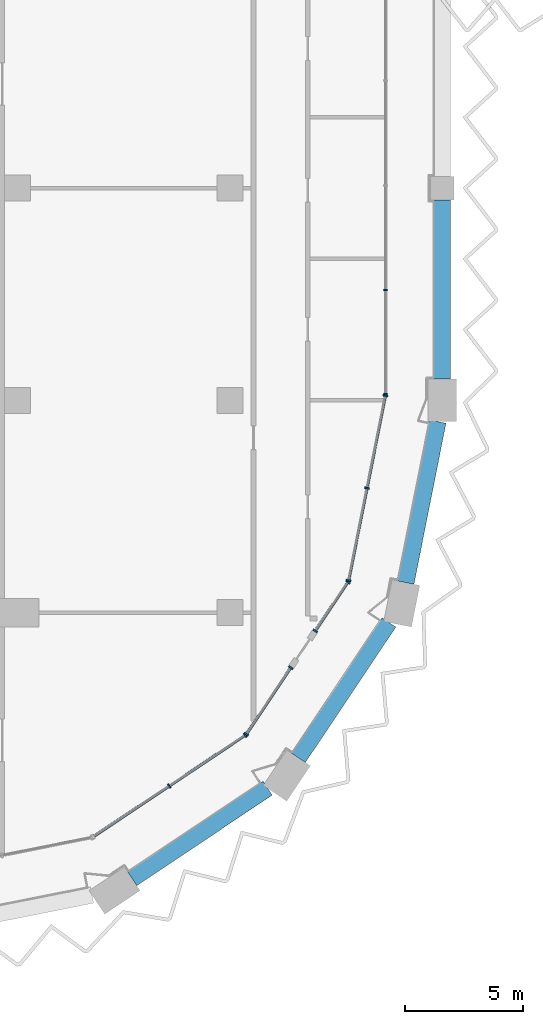
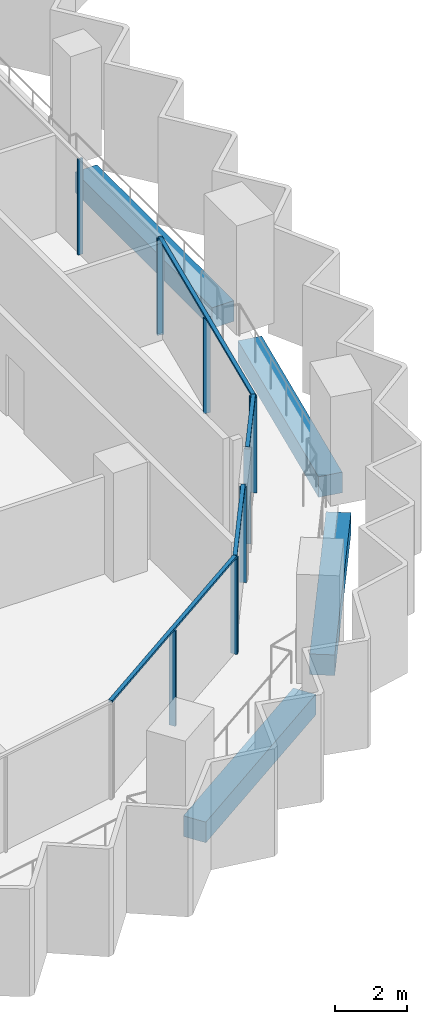
# One storey, part 3 of 17: 15 members, 4 beams, 5 elements without a shape of their own.
"""IFC4 building model written with IfcOpenShell, lengths in metres."""

from ifc_helpers import new_model, si_unit, direction, frame, origin, origin_2d, place, context, subcontext, project, spatial, rectangle, extrude, material, material_profile, profile_set, type_object, element, aggregate, save


model = new_model("IFC4")

# Units and contexts
model_context = context("Model", 3, precision=1e-05, world=origin(), true_north=direction((0.0, 1.0)))
body_context = subcontext(model_context, "Body", "Model", "MODEL_VIEW")
ifc_project = project(units=[si_unit("LENGTHUNIT", "METRE"), si_unit("AREAUNIT", "SQUARE_METRE"), si_unit("VOLUMEUNIT", "CUBIC_METRE"), si_unit("PLANEANGLEUNIT", "RADIAN"), si_unit("MASSUNIT", "GRAM", prefix="KILO")], contexts=[model_context])

# Site, building, storey
site_placement = place(None, origin())
site = spatial("IfcSite", under=ifc_project, at=site_placement, CompositionType="ELEMENT")
building_placement = place(site_placement, origin())
building = spatial("IfcBuilding", under=site, at=building_placement, Name="Hunhe Ridgeline Campus", CompositionType="ELEMENT")
storey_placement = place(building_placement, frame((0.0, 0.0, 193.89990234375)))
storey = spatial("IfcBuildingStorey", under=building, at=storey_placement, Name="L49", CompositionType="ELEMENT", Elevation=193.89990234375)

# Curtain wall, members
ifc_material_1 = material(Name="Aluminium 6063", Category="aluminium")
curtain_wall_type_1 = type_object("IfcCurtainWallType", Name="Curtain wall CW-1", PredefinedType="NOTDEFINED", material=ifc_material_1)
curtain_wall_1_placement = place(storey_placement, origin())
curtain_wall_1 = element("IfcCurtainWall", 1, at=curtain_wall_1_placement, inside=storey, type_object=curtain_wall_type_1, Name="Curtain wall 11", PredefinedType="NOTDEFINED")
ifc_material_profile_1 = material_profile(ifc_material_1, rectangle(XDim=0.159912109375, YDim=0.06005859375, at=origin_2d()))
ifc_profile_set_1 = profile_set([ifc_material_profile_1], Name="Aluminium 6063")
member_type_1 = type_object("IfcMemberType", Name="CW-1 aluminium mullion", PredefinedType="MULLION", material=ifc_profile_set_1)
member_1_placement = place(storey_placement, frame((42.59912109375, 36.266357421875, 0.0), z_axis=(0.0, 0.0, 1.0), x_axis=(-0.999999999978, 6.642653e-06, 0.0)))
member_1 = element("IfcMember", 2, at=member_1_placement, type_object=member_type_1, Name="CW-1 mullion 1", PredefinedType="MULLION", context=body_context, shape_type="SweptSolid", body=[
    extrude(rectangle(XDim=0.159912109375, YDim=0.06005859375, at=origin_2d()), origin(), (0.0, 0.0, 1.0), 3.239990234375),
])
member_2_placement = place(storey_placement, frame((42.59912109375, 40.677490234375, 0.0), z_axis=(0.0, 0.0, 1.0), x_axis=(-0.999999999978, 6.642653e-06, 0.0)))
member_2 = element("IfcMember", 3, at=member_2_placement, type_object=member_type_1, Name="CW-1 mullion 2", PredefinedType="MULLION", context=body_context, shape_type="SweptSolid", body=[
    extrude(rectangle(XDim=0.159912109375, YDim=0.06005859375, at=origin_2d()), origin(), (0.0, 0.0, 1.0), 3.239990234375),
])
aggregate(curtain_wall_1, [member_1, member_2])

curtain_wall_type_2 = type_object("IfcCurtainWallType", Name="Curtain wall CW-5", PredefinedType="NOTDEFINED", material=ifc_material_1)
curtain_wall_2_placement = place(storey_placement, origin())
curtain_wall_2 = element("IfcCurtainWall", 4, at=curtain_wall_2_placement, inside=storey, type_object=curtain_wall_type_2, Name="Curtain wall 07", PredefinedType="NOTDEFINED")
ifc_material_profile_2 = material_profile(ifc_material_1, rectangle(XDim=0.199951171875, YDim=0.070068359375, at=origin_2d()))
ifc_profile_set_2 = profile_set([ifc_material_profile_2], Name="Aluminium 6063")
member_type_2 = type_object("IfcMemberType", Name="CW-5 aluminium mullion", PredefinedType="MULLION", material=ifc_profile_set_2)
member_3_placement = place(storey_placement, frame((33.42626953125, 19.647705078125, 0.0), z_axis=(0.0, 0.0, 1.0), x_axis=(-0.555570274596, 0.831469584522, 0.0)))
member_3 = element("IfcMember", 5, at=member_3_placement, type_object=member_type_2, Name="CW-5 mullion 2", PredefinedType="MULLION", context=body_context, shape_type="SweptSolid", body=[
    extrude(rectangle(XDim=0.199951171875, YDim=0.070068359375, at=origin_2d()), origin(), (0.0, 0.0, 1.0), 3.22998046875),
])
member_4_placement = place(storey_placement, frame((36.649658203125, 21.8017578125, 0.0), z_axis=(0.0, 0.0, 1.0), x_axis=(-0.555570274596, 0.831469584522, 0.0)))
member_4 = element("IfcMember", 6, at=member_4_placement, type_object=member_type_2, Name="CW-5 mullion 3", PredefinedType="MULLION", context=body_context, shape_type="SweptSolid", body=[
    extrude(rectangle(XDim=0.199951171875, YDim=0.070068359375, at=origin_2d()), origin(), (0.0, 0.0, 1.0), 3.22998046875),
])

curtain_wall_3_placement = place(storey_placement, origin())
curtain_wall_3 = element("IfcCurtainWall", 7, at=curtain_wall_3_placement, inside=storey, type_object=curtain_wall_type_2, Name="Curtain wall 08", PredefinedType="NOTDEFINED")
member_5_placement = place(storey_placement, frame((36.6982421875, 21.850341796875, 0.0), z_axis=(0.0, 0.0, 1.0), x_axis=(-0.831469595944, 0.555570257501, 0.0)))
member_5 = element("IfcMember", 8, at=member_5_placement, type_object=member_type_2, Name="CW-5 mullion 1", PredefinedType="MULLION", context=body_context, shape_type="SweptSolid", body=[
    extrude(rectangle(XDim=0.199951171875, YDim=0.070068359375, at=origin_2d()), origin(), (0.0, 0.0, 1.0), 3.22998046875),
])
member_6_placement = place(storey_placement, frame((38.582763671875, 24.67041015625, 0.0), z_axis=(0.0, 0.0, 1.0), x_axis=(-0.831469595944, 0.555570257501, 0.0)))
member_6 = element("IfcMember", 9, at=member_6_placement, type_object=member_type_2, Name="CW-5 mullion 2", PredefinedType="MULLION", context=body_context, shape_type="SweptSolid", body=[
    extrude(rectangle(XDim=0.199951171875, YDim=0.070068359375, at=origin_2d()), origin(), (0.0, 0.0, 1.0), 3.22998046875),
])

curtain_wall_4_placement = place(storey_placement, origin())
curtain_wall_4 = element("IfcCurtainWall", 10, at=curtain_wall_4_placement, inside=storey, type_object=curtain_wall_type_2, Name="Curtain wall 09", PredefinedType="NOTDEFINED")
member_7_placement = place(storey_placement, frame((39.62158203125, 26.225341796875, 0.0), z_axis=(0.0, 0.0, 1.0), x_axis=(-0.831469510353, 0.555570385598, 0.0)))
member_7 = element("IfcMember", 11, at=member_7_placement, type_object=member_type_2, Name="CW-5 mullion 1", PredefinedType="MULLION", context=body_context, shape_type="SweptSolid", body=[
    extrude(rectangle(XDim=0.199951171875, YDim=0.070068359375, at=origin_2d()), origin(), (0.0, 0.0, 1.0), 3.22998046875),
])
member_8_placement = place(storey_placement, frame((41.006103515625, 28.29736328125, 0.0), z_axis=(0.0, 0.0, 1.0), x_axis=(-0.831469510353, 0.555570385598, 0.0)))
member_8 = element("IfcMember", 12, at=member_8_placement, type_object=member_type_2, Name="CW-5 mullion 2", PredefinedType="MULLION", context=body_context, shape_type="SweptSolid", body=[
    extrude(rectangle(XDim=0.199951171875, YDim=0.070068359375, at=origin_2d()), origin(), (0.0, 0.0, 1.0), 3.22998046875),
])

curtain_wall_5_placement = place(storey_placement, origin())
curtain_wall_5 = element("IfcCurtainWall", 13, at=curtain_wall_5_placement, inside=storey, type_object=curtain_wall_type_2, Name="Curtain wall 10", PredefinedType="NOTDEFINED")
member_9_placement = place(storey_placement, frame((41.032470703125, 28.36083984375, 0.0), z_axis=(0.0, 0.0, 1.0), x_axis=(-0.980785284939, 0.195090299215, 0.0)))
member_9 = element("IfcMember", 14, at=member_9_placement, type_object=member_type_2, Name="CW-5 mullion 1", PredefinedType="MULLION", context=body_context, shape_type="SweptSolid", body=[
    extrude(rectangle(XDim=0.199951171875, YDim=0.070068359375, at=origin_2d()), origin(), (0.0, 0.0, 1.0), 3.22998046875),
])
member_10_placement = place(storey_placement, frame((41.812255859375, 32.281494140625, 0.0), z_axis=(0.0, 0.0, 1.0), x_axis=(-0.980785284939, 0.195090299215, 0.0)))
member_10 = element("IfcMember", 15, at=member_10_placement, type_object=member_type_2, Name="CW-5 mullion 2", PredefinedType="MULLION", context=body_context, shape_type="SweptSolid", body=[
    extrude(rectangle(XDim=0.199951171875, YDim=0.070068359375, at=origin_2d()), origin(), (0.0, 0.0, 1.0), 3.22998046875),
])
member_11_placement = place(storey_placement, frame((42.59228515625, 36.2021484375, 0.0), z_axis=(0.0, 0.0, 1.0), x_axis=(-0.980785284939, 0.195090299215, 0.0)))
member_11 = element("IfcMember", 16, at=member_11_placement, type_object=member_type_2, Name="CW-5 mullion 3", PredefinedType="MULLION", context=body_context, shape_type="SweptSolid", body=[
    extrude(rectangle(XDim=0.199951171875, YDim=0.070068359375, at=origin_2d()), origin(), (0.0, 0.0, 1.0), 3.22998046875),
])

# Member
ifc_material_profile_3 = material_profile(ifc_material_1, rectangle(XDim=0.1201171875, YDim=0.070068359375, at=origin_2d()))
ifc_profile_set_3 = profile_set([ifc_material_profile_3], Name="Aluminium 6063")
member_type_3 = type_object("IfcMemberType", Name="CW-5 aluminium transom", PredefinedType="USERDEFINED", material=ifc_profile_set_3)
member_12_placement = place(storey_placement, frame((30.173583984375, 17.474365234375, 3.26513671875), z_axis=(0.831473763475, 0.5555640203, 0.0), x_axis=(-0.5555640203, 0.831473763475, 0.0)))
member_12 = element("IfcMember", 17, at=member_12_placement, type_object=member_type_3, Name="CW-5 transom 1", ObjectType="TRANSOM", PredefinedType="USERDEFINED", context=body_context, shape_type="SweptSolid", body=[
    extrude(rectangle(XDim=0.1201171875, YDim=0.070068359375, at=origin_2d()), origin(), (0.0, 0.0, 1.0), 7.823974609375),
])

aggregate(curtain_wall_2, [member_12, member_3, member_4])

member_13_placement = place(storey_placement, frame((36.678955078125, 21.821044921875, 3.26513671875), z_axis=(0.555546133463, 0.831485714606, 0.0), x_axis=(-0.831485714606, 0.555546133463, 0.0)))
member_13 = element("IfcMember", 18, at=member_13_placement, type_object=member_type_3, Name="CW-5 transom 1", ObjectType="TRANSOM", PredefinedType="USERDEFINED", context=body_context, shape_type="SweptSolid", body=[
    extrude(rectangle(XDim=0.1201171875, YDim=0.070068359375, at=origin_2d()), origin(), (0.0, 0.0, 1.0), 3.462158203125),
])

aggregate(curtain_wall_3, [member_13, member_5, member_6])

member_14_placement = place(storey_placement, frame((39.602294921875, 26.1962890625, 3.26513671875), z_axis=(0.555579547735, 0.831463388334, 0.0), x_axis=(-0.831463388334, 0.555579547735, 0.0)))
member_14 = element("IfcMember", 19, at=member_14_placement, type_object=member_type_3, Name="CW-5 transom 1", ObjectType="TRANSOM", PredefinedType="USERDEFINED", context=body_context, shape_type="SweptSolid", body=[
    extrude(rectangle(XDim=0.1201171875, YDim=0.070068359375, at=origin_2d()), origin(), (0.0, 0.0, 1.0), 2.56201171875),
])

aggregate(curtain_wall_4, [member_14, member_7, member_8])

member_15_placement = place(storey_placement, frame((41.025634765625, 28.326416015625, 3.26513671875), z_axis=(0.195097290093, 0.980783894341, 0.0), x_axis=(-0.980783894341, 0.195097290093, 0.0)))
member_15 = element("IfcMember", 20, at=member_15_placement, type_object=member_type_3, Name="CW-5 transom 1", ObjectType="TRANSOM", PredefinedType="USERDEFINED", context=body_context, shape_type="SweptSolid", body=[
    extrude(rectangle(XDim=0.1201171875, YDim=0.070068359375, at=origin_2d()), origin(), (0.0, 0.0, 1.0), 8.065185546875),
])

aggregate(curtain_wall_5, [member_15, member_9, member_10, member_11])

# Beams
ifc_material_2 = material(Name="Concrete C50", Category="concrete")
ifc_material_profile_4 = material_profile(ifc_material_2, rectangle(XDim=0.699951171875, YDim=0.699951171875, at=origin_2d()))
ifc_profile_set_4 = profile_set([ifc_material_profile_4], Name="Concrete C50")
beam_type = type_object("IfcBeamType", Name="RC spandrel beam 700x700 Concrete C50", PredefinedType="SPANDREL", material=ifc_profile_set_4)
for number, where, z_axis, x_axis, name in (
    (21, (31.858642578125, 15.712646484375, -0.599853515625), (0.831467796868, 0.55557295, 0.0), (-0.55557295, 0.831467796868, 0.0), "Spandrel beam B3-6 L49"),
    (22, (38.909912109375, 20.83837890625, -0.599853515625), (0.55557295, 0.831467796868, 0.0), (-0.831467796868, 0.55557295, 0.0), "Spandrel beam B3-7 L49"),
):
    element("IfcBeam", number, at=place(storey_placement, frame(where, z_axis=z_axis, x_axis=x_axis)), inside=storey, type_object=beam_type, Name=name, PredefinedType="SPANDREL", context=body_context, shape_type="SweptSolid", body=[
        extrude(rectangle(XDim=0.699951171875, YDim=0.699951171875, at=origin_2d()), origin(), (0.0, 0.0, 1.0), 6.905029296875),
    ])
beam_1_placement = place(storey_placement, frame((43.462890625, 28.272216796875, -0.599853515625), z_axis=(0.195090923217, 0.980785160817, 0.0), x_axis=(-0.980785160817, 0.195090923217, 0.0)))
element("IfcBeam", 23, at=beam_1_placement, inside=storey, type_object=beam_type, Name="Spandrel beam B3-8 L49", PredefinedType="SPANDREL", context=body_context, shape_type="SweptSolid", body=[
    extrude(rectangle(XDim=0.699951171875, YDim=0.699951171875, at=origin_2d()), origin(), (0.0, 0.0, 1.0), 6.961669921875),
])
beam_2_placement = place(storey_placement, frame((45.0, 36.89990234375, -0.599853515625), z_axis=(0.0, 1.0, 0.0), x_axis=(-1.0, 0.0, 0.0)))
element("IfcBeam", 24, at=beam_2_placement, inside=storey, type_object=beam_type, Name="Spandrel beam B3-9 L49", PredefinedType="SPANDREL", context=body_context, shape_type="SweptSolid", body=[
    extrude(rectangle(XDim=0.699951171875, YDim=0.699951171875, at=origin_2d()), origin(), (0.0, 0.0, 1.0), 7.60009765625),
])

save(model, "model.ifc")
